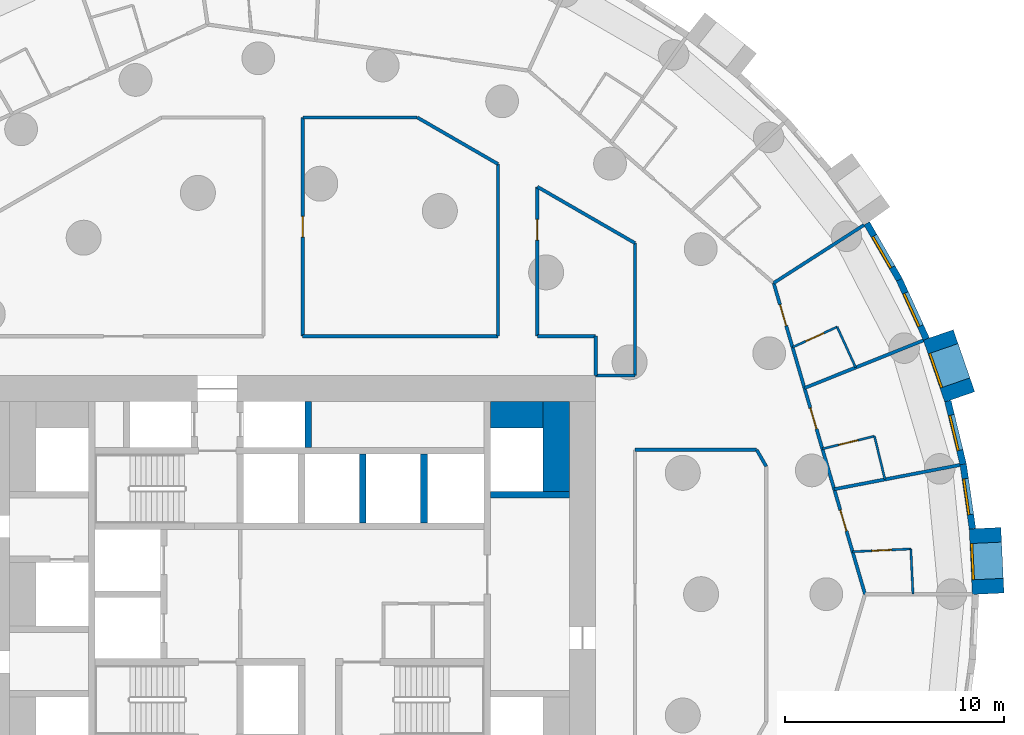
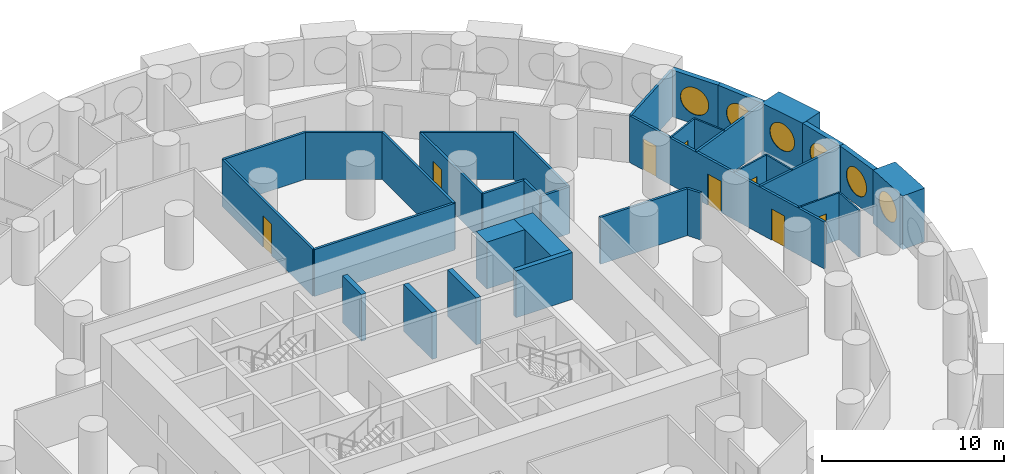
# One storey, part 9 of 12: 35 walls, 8 doors, 6 windows, 14 openings.
"""IFC4 building model written with IfcOpenShell, lengths in metres."""

from ifc_helpers import new_model, si_unit, direction, frame, frame_2d, origin, origin_2d, place, context, subcontext, project, spatial, rectangle, circle, extrude, material, layer, layer_set, type_object, element, fill, save


model = new_model("IFC4")

# Units and contexts
model_context = context("Model", 3, precision=1e-05, world=origin(), true_north=direction((0.0, 1.0)))
body_context = subcontext(model_context, "Body", "Model", "MODEL_VIEW")
ifc_project = project(units=[si_unit("LENGTHUNIT", "METRE"), si_unit("AREAUNIT", "SQUARE_METRE"), si_unit("VOLUMEUNIT", "CUBIC_METRE"), si_unit("PLANEANGLEUNIT", "RADIAN"), si_unit("MASSUNIT", "GRAM", prefix="KILO")], contexts=[model_context])

# Site, building, storey
site_placement = place(None, origin())
site = spatial("IfcSite", under=ifc_project, at=site_placement, CompositionType="ELEMENT")
building_placement = place(site_placement, origin())
building = spatial("IfcBuilding", under=site, at=building_placement, Name="Tracery Tower", CompositionType="ELEMENT")
storey_placement = place(building_placement, frame((0.0, 0.0, 35.39990234375)))
storey = spatial("IfcBuildingStorey", under=building, at=storey_placement, Name="L07", CompositionType="ELEMENT", Elevation=35.39990234375)

# Walls
ifc_material_1 = material(Name="Concrete C60/75", Category="concrete")
ifc_layer_1 = layer(ifc_material_1, 1.199951171875)
ifc_layer_set_1 = layer_set([ifc_layer_1], Name="Core strip wall 1200 C60")
wall_type_1 = type_object("IfcWallType", Name="Core strip wall 1200 C60", PredefinedType="SOLIDWALL", material=ifc_layer_set_1)
wall_1_placement = place(storey_placement, frame((12.199951171875, 4.699951171875, 0.0), z_axis=(0.0, 0.0, 1.0), x_axis=(0.0, 1.0, 0.0)))
element("IfcWall", 1, at=wall_1_placement, inside=storey, type_object=wall_type_1, Name="L07 wing strip +1 4.55", PredefinedType="SOLIDWALL", context=body_context, shape_type="SweptSolid", body=[
    extrude(rectangle(XDim=4.10009765625, YDim=1.199951171875, at=frame_2d((2.050048828125, 0.0))), origin(), (0.0, 0.0, 1.0), 3.150146484375),
])
wall_2_placement = place(storey_placement, frame((9.199951171875, 8.199951171875, 0.0), z_axis=(0.0, 0.0, 1.0), x_axis=(1.0, 0.0, 0.0)))
element("IfcWall", 2, at=wall_2_placement, inside=storey, type_object=wall_type_1, Name="L07 wing corner +1 +8.2", PredefinedType="SOLIDWALL", context=body_context, shape_type="SweptSolid", body=[
    extrude(rectangle(XDim=2.400146484375, YDim=1.199951171875, at=frame_2d((1.2001953125, 0.0))), origin(), (0.0, 0.0, 1.0), 3.150146484375),
])

# Wall, opening, window
ifc_material_2 = material(Name="Precast concrete C50/60", Category="concrete")
ifc_layer_2 = layer(ifc_material_2, 1.449951171875)
ifc_layer_set_2 = layer_set([ifc_layer_2], Name="Deep-set bay unit 3000 x 3600, slab edge 450")
wall_type_2 = type_object("IfcWallType", Name="Deep-set bay unit 3000 x 3600, slab edge 450", PredefinedType="ELEMENTEDWALL", material=ifc_layer_set_2)
wall_3_placement = place(storey_placement, frame((31.94921875, 0.020263671875, -0.449951171875), z_axis=(0.0, 0.0, 1.0), x_axis=(-0.047607680889, 0.998866111509, 0.0)))
wall_3 = element("IfcWall", 3, at=wall_3_placement, inside=storey, type_object=wall_type_2, Name="Deep-set bay unit 1 at L07", PredefinedType="ELEMENTEDWALL", context=body_context, shape_type="SweptSolid", body=[
    extrude(rectangle(XDim=3.0, YDim=1.449951171875, at=frame_2d((1.5, 0.0))), origin(), (0.0, 0.0, 1.0), 3.60009765625),
])
opening_1_placement = place(wall_3_placement, frame((1.5, 0.0, 2.0)))
opening_1 = element("IfcOpeningElement", 4, at=opening_1_placement, cuts=wall_3, Name="Opening WN1", PredefinedType="OPENING", context=body_context, shape_type="SweptSolid", body=[
    extrude(circle(Radius=0.9000244140625, at=origin_2d()), frame((0.0, 0.73486328125, 0.0), z_axis=(0.0, -1.0, 0.0), x_axis=(1.0, 0.0, 0.0)), (0.0, 0.0, 1.0), 1.469970703125),
])
ifc_material_3 = material(Name="Aluminium frame with tinted double glazing", Category="aluminium")
window_type = type_object("IfcWindowType", Name="Round window 1800", PartitioningType="SINGLE_PANEL", PredefinedType="WINDOW", material=ifc_material_3)
window_1_placement = place(opening_1_placement, origin())
window_1 = element("IfcWindow", 5, at=window_1_placement, inside=storey, type_object=window_type, Name="Round window 1 at L07", OverallHeight=1.800048828125, OverallWidth=1.800048828125, PartitioningType="SINGLE_PANEL", PredefinedType="WINDOW", context=body_context, shape_type="SweptSolid", body=[
    extrude(circle(Radius=0.9000244140625, at=origin_2d()), frame((0.0, 0.69482421875, 0.0), z_axis=(0.0, -1.0, 0.0), x_axis=(1.0, 0.0, 0.0)), (0.0, 0.0, 1.0), 0.10009765625),
])
fill(opening_1, window_1)

wall_4_placement = place(storey_placement, frame((30.649169921875, 9.0205078125, -0.449951171875), z_axis=(0.0, 0.0, 1.0), x_axis=(-0.327071431777, 0.944999618262, 0.0)))
wall_4 = element("IfcWall", 6, at=wall_4_placement, inside=storey, type_object=wall_type_2, Name="Deep-set bay unit 4 at L07", PredefinedType="ELEMENTEDWALL", context=body_context, shape_type="SweptSolid", body=[
    extrude(rectangle(XDim=3.0, YDim=1.449951171875, at=frame_2d((1.5, 0.0))), origin(), (0.0, 0.0, 1.0), 3.60009765625),
])
opening_2_placement = place(wall_4_placement, frame((1.5, 0.0, 2.0)))
opening_2 = element("IfcOpeningElement", 7, at=opening_2_placement, cuts=wall_4, Name="Opening WN1", PredefinedType="OPENING", context=body_context, shape_type="SweptSolid", body=[
    extrude(circle(Radius=0.9000244140625, at=origin_2d()), frame((0.0, 0.73486328125, 0.0), z_axis=(0.0, -1.0, 0.0), x_axis=(1.0, 0.0, 0.0)), (0.0, 0.0, 1.0), 1.469970703125),
])
window_2_placement = place(opening_2_placement, origin())
window_2 = element("IfcWindow", 8, at=window_2_placement, inside=storey, type_object=window_type, Name="Round window 4 at L07", OverallHeight=1.800048828125, OverallWidth=1.800048828125, PartitioningType="SINGLE_PANEL", PredefinedType="WINDOW", context=body_context, shape_type="SweptSolid", body=[
    extrude(circle(Radius=0.9000244140625, at=origin_2d()), frame((0.0, 0.69482421875, 0.0), z_axis=(0.0, -1.0, 0.0), x_axis=(1.0, 0.0, 0.0)), (0.0, 0.0, 1.0), 0.10009765625),
])
fill(opening_2, window_2)

ifc_material_4 = material(Name="Precast concrete C50/60", Category="concrete")
ifc_layer_3 = layer(ifc_material_4, 0.300048828125)
ifc_layer_set_3 = layer_set([ifc_layer_3], Name="Facade panel 3000 x 3150")
wall_type_3 = type_object("IfcWallType", Name="Facade panel 3000 x 3150", PredefinedType="SOLIDWALL", material=ifc_layer_set_3)
wall_5_placement = place(storey_placement, frame((31.2314453125, 2.98828125, 0.0), z_axis=(0.0, 0.0, 1.0), x_axis=(-0.142315996627, 0.989821275334, 0.0)))
wall_5 = element("IfcWall", 9, at=wall_5_placement, inside=storey, type_object=wall_type_3, Name="Facade panel 2 at L07", PredefinedType="SOLIDWALL", context=body_context, shape_type="SweptSolid", body=[
    extrude(rectangle(XDim=2.979736328125, YDim=0.300048828125, at=frame_2d((1.48974609375, 0.0))), origin(), (0.0, 0.0, 1.0), 3.150146484375),
])
opening_3_placement = place(wall_5_placement, frame((1.48974609375, 0.0, 1.5498046875)))
opening_3 = element("IfcOpeningElement", 10, at=opening_3_placement, cuts=wall_5, Name="Opening WN1", PredefinedType="OPENING", context=body_context, shape_type="SweptSolid", body=[
    extrude(circle(Radius=0.9000244140625, at=origin_2d()), frame((0.0, 0.159912109375, 0.0), z_axis=(0.0, -1.0, 0.0), x_axis=(1.0, 0.0, 0.0)), (0.0, 0.0, 1.0), 0.320068359375),
])
window_3_placement = place(opening_3_placement, origin())
window_3 = element("IfcWindow", 11, at=window_3_placement, inside=storey, type_object=window_type, Name="Round window 2 at L07", OverallHeight=1.800048828125, OverallWidth=1.800048828125, PartitioningType="SINGLE_PANEL", PredefinedType="WINDOW", context=body_context, shape_type="SweptSolid", body=[
    extrude(circle(Radius=0.9000244140625, at=origin_2d()), frame((0.0, 0.1201171875, 0.0), z_axis=(0.0, -1.0, 0.0), x_axis=(1.0, 0.0, 0.0)), (0.0, 0.0, 1.0), 0.10009765625),
])
fill(opening_3, window_3)

wall_6_placement = place(storey_placement, frame((30.807373046875, 5.937744140625, 0.0), z_axis=(0.0, 0.0, 1.0), x_axis=(-0.235743081534, 0.971815414319, 0.0)))
wall_6 = element("IfcWall", 12, at=wall_6_placement, inside=storey, type_object=wall_type_3, Name="Facade panel 3 at L07", PredefinedType="SOLIDWALL", context=body_context, shape_type="SweptSolid", body=[
    extrude(rectangle(XDim=2.9794921875, YDim=0.300048828125, at=frame_2d((1.48974609375, 0.0))), origin(), (0.0, 0.0, 1.0), 3.150146484375),
])
opening_4_placement = place(wall_6_placement, frame((1.48974609375, 0.0, 1.5498046875)))
opening_4 = element("IfcOpeningElement", 13, at=opening_4_placement, cuts=wall_6, Name="Opening WN1", PredefinedType="OPENING", context=body_context, shape_type="SweptSolid", body=[
    extrude(circle(Radius=0.9000244140625, at=origin_2d()), frame((0.0, 0.159912109375, 0.0), z_axis=(0.0, -1.0, 0.0), x_axis=(1.0, 0.0, 0.0)), (0.0, 0.0, 1.0), 0.320068359375),
])
window_4_placement = place(opening_4_placement, origin())
window_4 = element("IfcWindow", 14, at=window_4_placement, inside=storey, type_object=window_type, Name="Round window 3 at L07", OverallHeight=1.800048828125, OverallWidth=1.800048828125, PartitioningType="SINGLE_PANEL", PredefinedType="WINDOW", context=body_context, shape_type="SweptSolid", body=[
    extrude(circle(Radius=0.9000244140625, at=origin_2d()), frame((0.0, 0.1201171875, 0.0), z_axis=(0.0, -1.0, 0.0), x_axis=(1.0, 0.0, 0.0)), (0.0, 0.0, 1.0), 0.10009765625),
])
fill(opening_4, window_4)

wall_7_placement = place(storey_placement, frame((29.12451171875, 11.666259765625, 0.0), z_axis=(0.0, 0.0, 1.0), x_axis=(-0.415407317162, 0.909635509888, 0.0)))
wall_7 = element("IfcWall", 15, at=wall_7_placement, inside=storey, type_object=wall_type_3, Name="Facade panel 5 at L07", PredefinedType="SOLIDWALL", context=body_context, shape_type="SweptSolid", body=[
    extrude(rectangle(XDim=2.979736328125, YDim=0.300048828125, at=frame_2d((1.48974609375, 0.0))), origin(), (0.0, 0.0, 1.0), 3.150146484375),
])
opening_5_placement = place(wall_7_placement, frame((1.48974609375, 0.0, 1.5498046875)))
opening_5 = element("IfcOpeningElement", 16, at=opening_5_placement, cuts=wall_7, Name="Opening WN1", PredefinedType="OPENING", context=body_context, shape_type="SweptSolid", body=[
    extrude(circle(Radius=0.9000244140625, at=origin_2d()), frame((0.0, 0.159912109375, 0.0), z_axis=(0.0, -1.0, 0.0), x_axis=(1.0, 0.0, 0.0)), (0.0, 0.0, 1.0), 0.320068359375),
])
window_5_placement = place(opening_5_placement, origin())
window_5 = element("IfcWindow", 17, at=window_5_placement, inside=storey, type_object=window_type, Name="Round window 5 at L07", OverallHeight=1.800048828125, OverallWidth=1.800048828125, PartitioningType="SINGLE_PANEL", PredefinedType="WINDOW", context=body_context, shape_type="SweptSolid", body=[
    extrude(circle(Radius=0.9000244140625, at=origin_2d()), frame((0.0, 0.1201171875, 0.0), z_axis=(0.0, -1.0, 0.0), x_axis=(1.0, 0.0, 0.0)), (0.0, 0.0, 1.0), 0.10009765625),
])
fill(opening_5, window_5)

wall_8_placement = place(storey_placement, frame((27.88671875, 14.376708984375, 0.0), z_axis=(0.0, 0.0, 1.0), x_axis=(-0.499999078476, 0.866025935826, 0.0)))
wall_8 = element("IfcWall", 18, at=wall_8_placement, inside=storey, type_object=wall_type_3, Name="Facade panel 6 at L07", PredefinedType="SOLIDWALL", context=body_context, shape_type="SweptSolid", body=[
    extrude(rectangle(XDim=2.9794921875, YDim=0.300048828125, at=frame_2d((1.48974609375, 0.0))), origin(), (0.0, 0.0, 1.0), 3.150146484375),
])
opening_6_placement = place(wall_8_placement, frame((1.48974609375, 0.0, 1.5498046875)))
opening_6 = element("IfcOpeningElement", 19, at=opening_6_placement, cuts=wall_8, Name="Opening WN1", PredefinedType="OPENING", context=body_context, shape_type="SweptSolid", body=[
    extrude(circle(Radius=0.9000244140625, at=origin_2d()), frame((0.0, 0.159912109375, 0.0), z_axis=(0.0, -1.0, 0.0), x_axis=(1.0, 0.0, 0.0)), (0.0, 0.0, 1.0), 0.320068359375),
])
window_6_placement = place(opening_6_placement, origin())
window_6 = element("IfcWindow", 20, at=window_6_placement, inside=storey, type_object=window_type, Name="Round window 6 at L07", OverallHeight=1.800048828125, OverallWidth=1.800048828125, PartitioningType="SINGLE_PANEL", PredefinedType="WINDOW", context=body_context, shape_type="SweptSolid", body=[
    extrude(circle(Radius=0.9000244140625, at=origin_2d()), frame((0.0, 0.1201171875, 0.0), z_axis=(0.0, -1.0, 0.0), x_axis=(1.0, 0.0, 0.0)), (0.0, 0.0, 1.0), 0.10009765625),
])
fill(opening_6, window_6)

# Wall
ifc_material_5 = material(Name="Plasterboard on steel studs", Category="steel")
ifc_layer_4 = layer(ifc_material_5, 0.10009765625)
ifc_layer_set_4 = layer_set([ifc_layer_4], Name="Partition 100 wet wall")
wall_type_4 = type_object("IfcWallType", Name="Partition 100 wet wall", PredefinedType="PARTITIONING", material=ifc_layer_set_4)
wall_9_placement = place(storey_placement, frame((28.412109375, 2.069091796875, 0.0), z_axis=(0.0, 0.0, 1.0), x_axis=(0.047733138673, -0.998860124078, 0.0)))
element("IfcWall", 21, at=wall_9_placement, inside=storey, type_object=wall_type_4, Name="Wet wall RA1-058", PredefinedType="PARTITIONING", context=body_context, shape_type="SweptSolid", body=[
    extrude(rectangle(XDim=2.071533203125, YDim=0.10009765625, at=frame_2d((1.03564453125, 0.0))), origin(), (0.0, 0.0, 1.0), 3.150146484375),
])

# Wall, opening, door
wall_10_placement = place(storey_placement, frame((25.7490234375, 1.94189453125, 0.0), z_axis=(0.0, 0.0, 1.0), x_axis=(0.998861290624, 0.047708721344, 0.0)))
wall_10 = element("IfcWall", 22, at=wall_10_placement, inside=storey, type_object=wall_type_4, Name="Wet wall RA1-059", PredefinedType="PARTITIONING", context=body_context, shape_type="SweptSolid", body=[
    extrude(rectangle(XDim=2.666015625, YDim=0.10009765625, at=frame_2d((1.3330078125, 0.0))), origin(), (0.0, 0.0, 1.0), 3.150146484375),
])
opening_7_placement = place(wall_10_placement, frame((0.883056640625, 0.0, 0.0)))
opening_7 = element("IfcOpeningElement", 23, at=opening_7_placement, cuts=wall_10, Name="Opening RA1-09", PredefinedType="OPENING", context=body_context, shape_type="SweptSolid", body=[
    extrude(rectangle(XDim=0.89990234375, YDim=2.0400390625, at=frame_2d((0.449951171875, 1.02001953125))), frame((0.0, 0.050048828125, 0.0), z_axis=(0.0, -1.0, 0.0), x_axis=(1.0, 0.0, 0.0)), (0.0, 0.0, 1.0), 0.10009765625),
])
ifc_material_6 = material(Name="Timber door leaf", Category="wood")
door_type_1 = type_object("IfcDoorType", Name="Door en-suite 900", OperationType="NOTDEFINED", PredefinedType="DOOR", material=ifc_material_6)
door_1_placement = place(opening_7_placement, origin())
door_1 = element("IfcDoor", 24, at=door_1_placement, inside=storey, type_object=door_type_1, Name="En-suite door RA1-09", OperationType="SINGLE_SWING_LEFT", OverallHeight=2.0400390625, OverallWidth=0.89990234375, PredefinedType="DOOR", context=body_context, shape_type="SweptSolid", body=[
    extrude(rectangle(XDim=0.89990234375, YDim=2.0400390625, at=frame_2d((0.449951171875, 1.02001953125))), frame((0.0, 0.02490234375, 0.0), z_axis=(0.0, -1.0, 0.0), x_axis=(1.0, 0.0, 0.0)), (0.0, 0.0, 1.0), 0.050048828125),
])
fill(opening_7, door_1)

# Wall
wall_11_placement = place(storey_placement, frame((26.75, 7.22509765625, 0.0), z_axis=(0.0, 0.0, 1.0), x_axis=(0.23592286129, -0.97177178572, 0.0)))
element("IfcWall", 25, at=wall_11_placement, inside=storey, type_object=wall_type_4, Name="Wet wall RA1-062", PredefinedType="PARTITIONING", context=body_context, shape_type="SweptSolid", body=[
    extrude(rectangle(XDim=2.034423828125, YDim=0.10009765625, at=frame_2d((1.01708984375, 0.0))), origin(), (0.0, 0.0, 1.0), 3.150146484375),
])

# Wall, opening, door
wall_12_placement = place(storey_placement, frame((24.366943359375, 6.64599609375, 0.0), z_axis=(0.0, 0.0, 1.0), x_axis=(0.971720101056, 0.236135650006, 0.0)))
wall_12 = element("IfcWall", 26, at=wall_12_placement, inside=storey, type_object=wall_type_4, Name="Wet wall RA1-063", PredefinedType="PARTITIONING", context=body_context, shape_type="SweptSolid", body=[
    extrude(rectangle(XDim=2.452392578125, YDim=0.10009765625, at=frame_2d((1.22607421875, 0.0))), origin(), (0.0, 0.0, 1.0), 3.150146484375),
])
opening_8_placement = place(wall_12_placement, frame((0.7763671875, 0.0, 0.0)))
opening_8 = element("IfcOpeningElement", 27, at=opening_8_placement, cuts=wall_12, Name="Opening RA1-11", PredefinedType="OPENING", context=body_context, shape_type="SweptSolid", body=[
    extrude(rectangle(XDim=0.89990234375, YDim=2.0400390625, at=frame_2d((0.449951171875, 1.02001953125))), frame((0.0, 0.050048828125, 0.0), z_axis=(0.0, -1.0, 0.0), x_axis=(1.0, 0.0, 0.0)), (0.0, 0.0, 1.0), 0.10009765625),
])
door_2_placement = place(opening_8_placement, origin())
door_2 = element("IfcDoor", 28, at=door_2_placement, inside=storey, type_object=door_type_1, Name="En-suite door RA1-11", OperationType="SINGLE_SWING_LEFT", OverallHeight=2.0400390625, OverallWidth=0.89990234375, PredefinedType="DOOR", context=body_context, shape_type="SweptSolid", body=[
    extrude(rectangle(XDim=0.89990234375, YDim=2.0400390625, at=frame_2d((0.449951171875, 1.02001953125))), frame((0.0, 0.02490234375, 0.0), z_axis=(0.0, -1.0, 0.0), x_axis=(1.0, 0.0, 0.0)), (0.0, 0.0, 1.0), 0.050048828125),
])
fill(opening_8, door_2)

# Wall
wall_13_placement = place(storey_placement, frame((25.04296875, 12.221923828125, 0.0), z_axis=(0.0, 0.0, 1.0), x_axis=(0.41546015385, -0.909611378866, 0.0)))
element("IfcWall", 29, at=wall_13_placement, inside=storey, type_object=wall_type_4, Name="Wet wall RA1-065", PredefinedType="PARTITIONING", context=body_context, shape_type="SweptSolid", body=[
    extrude(rectangle(XDim=2.04150390625, YDim=0.10009765625, at=frame_2d((1.020751953125, 0.0))), origin(), (0.0, 0.0, 1.0), 3.150146484375),
])

# Wall, opening, door
wall_14_placement = place(storey_placement, frame((23.0029296875, 11.291015625, 0.0), z_axis=(0.0, 0.0, 1.0), x_axis=(0.90975773562, 0.41513956988, 0.0)))
wall_14 = element("IfcWall", 30, at=wall_14_placement, inside=storey, type_object=wall_type_4, Name="Wet wall RA1-066", PredefinedType="PARTITIONING", context=body_context, shape_type="SweptSolid", body=[
    extrude(rectangle(XDim=2.242431640625, YDim=0.10009765625, at=frame_2d((1.12109375, 0.0))), origin(), (0.0, 0.0, 1.0), 3.150146484375),
])
opening_9_placement = place(wall_14_placement, frame((0.67138671875, 0.0, 0.0)))
opening_9 = element("IfcOpeningElement", 31, at=opening_9_placement, cuts=wall_14, Name="Opening RA1-13", PredefinedType="OPENING", context=body_context, shape_type="SweptSolid", body=[
    extrude(rectangle(XDim=0.89990234375, YDim=2.0400390625, at=frame_2d((0.449951171875, 1.02001953125))), frame((0.0, 0.050048828125, 0.0), z_axis=(0.0, -1.0, 0.0), x_axis=(1.0, 0.0, 0.0)), (0.0, 0.0, 1.0), 0.10009765625),
])
door_3_placement = place(opening_9_placement, origin())
door_3 = element("IfcDoor", 32, at=door_3_placement, inside=storey, type_object=door_type_1, Name="En-suite door RA1-13", OperationType="SINGLE_SWING_LEFT", OverallHeight=2.0400390625, OverallWidth=0.89990234375, PredefinedType="DOOR", context=body_context, shape_type="SweptSolid", body=[
    extrude(rectangle(XDim=0.89990234375, YDim=2.0400390625, at=frame_2d((0.449951171875, 1.02001953125))), frame((0.0, 0.02490234375, 0.0), z_axis=(0.0, -1.0, 0.0), x_axis=(1.0, 0.0, 0.0)), (0.0, 0.0, 1.0), 0.050048828125),
])
fill(opening_9, door_3)

# Walls
ifc_material_7 = material(Name="Plasterboard on steel studs", Category="steel")
ifc_layer_5 = layer(ifc_material_7, 0.14990234375)
ifc_layer_set_5 = layer_set([ifc_layer_5], Name="Partition 150 acoustic unit wall")
wall_type_5 = type_object("IfcWallType", Name="Partition 150 acoustic unit wall", PredefinedType="PARTITIONING", material=ifc_layer_set_5)
wall_15_placement = place(storey_placement, frame((24.9091796875, 4.80029296875, 0.0), z_axis=(0.0, 0.0, 1.0), x_axis=(0.981919819649, 0.18929729998, 0.0)))
element("IfcWall", 33, at=wall_15_placement, inside=storey, type_object=wall_type_5, Name="Unit wall RA1-060", PredefinedType="PARTITIONING", context=body_context, shape_type="SweptSolid", body=[
    extrude(rectangle(XDim=5.856689453125, YDim=0.14990234375, at=frame_2d((2.92822265625, 0.0))), origin(), (0.0, 0.0, 1.0), 3.150146484375),
])
wall_16_placement = place(storey_placement, frame((23.55029296875, 9.427001953125, 0.0), z_axis=(0.0, 0.0, 1.0), x_axis=(0.928307005382, 0.371814609393, 0.0)))
element("IfcWall", 34, at=wall_16_placement, inside=storey, type_object=wall_type_5, Name="Unit wall RA1-064", PredefinedType="PARTITIONING", context=body_context, shape_type="SweptSolid", body=[
    extrude(rectangle(XDim=5.857666015625, YDim=0.14990234375, at=frame_2d((2.9287109375, 0.0))), origin(), (0.0, 0.0, 1.0), 3.150146484375),
])
wall_17_placement = place(storey_placement, frame((22.14111328125, 14.22900390625, 0.0), z_axis=(0.0, 0.0, 1.0), x_axis=(0.841265781699, 0.540621757371, 0.0)))
element("IfcWall", 35, at=wall_17_placement, inside=storey, type_object=wall_type_5, Name="Unit wall RA1-067", PredefinedType="PARTITIONING", context=body_context, shape_type="SweptSolid", body=[
    extrude(rectangle(XDim=4.90576171875, YDim=0.14990234375, at=frame_2d((2.452880859375, 0.0))), origin(), (0.0, 0.0, 1.0), 3.150146484375),
])
ifc_material_8 = material(Name="Plasterboard on steel studs", Category="steel")
ifc_layer_6 = layer(ifc_material_8, 0.14990234375)
ifc_layer_set_6 = layer_set([ifc_layer_6], Name="Partition 150 corridor wall")
wall_type_6 = type_object("IfcWallType", Name="Partition 150 corridor wall", PredefinedType="PARTITIONING", material=ifc_layer_set_6)
wall_18_placement = place(storey_placement, frame((0.60400390625, 11.800048828125, 0.0), z_axis=(0.0, 0.0, 1.0), x_axis=(1.0, 0.0, 0.0)))
element("IfcWall", 36, at=wall_18_placement, inside=storey, type_object=wall_type_6, Name="Corridor wall RA1-002", PredefinedType="PARTITIONING", context=body_context, shape_type="SweptSolid", body=[
    extrude(rectangle(XDim=8.93603515625, YDim=0.14990234375, at=frame_2d((4.468017578125, 0.0))), origin(), (0.0, 0.0, 1.0), 3.150146484375),
])
wall_19_placement = place(storey_placement, frame((11.33203125, 11.800048828125, 0.0), z_axis=(0.0, 0.0, 1.0), x_axis=(1.0, 0.0, 0.0)))
element("IfcWall", 37, at=wall_19_placement, inside=storey, type_object=wall_type_6, Name="Corridor wall RA1-003", PredefinedType="PARTITIONING", context=body_context, shape_type="SweptSolid", body=[
    extrude(rectangle(XDim=2.66796875, YDim=0.14990234375, at=frame_2d((1.333984375, 0.0))), origin(), (0.0, 0.0, 1.0), 3.150146484375),
])
for number, where, z_axis, x_axis, name in (
    (38, (14.0, 10.0, 0.0), (0.0, 0.0, 1.0), (0.0, 1.0, 0.0), "Corridor wall RA1-004"),
    (39, (14.0, 10.0, 0.0), (0.0, 0.0, 1.0), (1.0, 0.0, 0.0), "Corridor wall RA1-009"),
):
    element("IfcWall", number, at=place(storey_placement, frame(where, z_axis=z_axis, x_axis=x_axis)), inside=storey, type_object=wall_type_6, Name=name, PredefinedType="PARTITIONING", context=body_context, shape_type="SweptSolid", body=[
        extrude(rectangle(XDim=1.800048828125, YDim=0.14990234375, at=frame_2d((0.89990234375, 0.0))), origin(), (0.0, 0.0, 1.0), 3.150146484375),
    ])
wall_20_placement = place(storey_placement, frame((15.800048828125, 9.99609375, 0.0), z_axis=(0.0, 0.0, 1.0), x_axis=(0.0, 1.0, 0.0)))
element("IfcWall", 40, at=wall_20_placement, inside=storey, type_object=wall_type_6, Name="Corridor wall RA1-013", PredefinedType="PARTITIONING", context=body_context, shape_type="SweptSolid", body=[
    extrude(rectangle(XDim=6.056884765625, YDim=0.14990234375, at=frame_2d((3.0283203125, 0.0))), origin(), (0.0, 0.0, 1.0), 3.150146484375),
])
wall_21_placement = place(storey_placement, frame((21.364013671875, 6.60009765625, 0.0), z_axis=(0.0, 0.0, 1.0), x_axis=(0.500277597875, -0.865865073245, 0.0)))
element("IfcWall", 41, at=wall_21_placement, inside=storey, type_object=wall_type_6, Name="Corridor wall RA1-018", PredefinedType="PARTITIONING", context=body_context, shape_type="SweptSolid", body=[
    extrude(rectangle(XDim=0.87548828125, YDim=0.14990234375, at=frame_2d((0.437744140625, 0.0))), origin(), (0.0, 0.0, 1.0), 3.150146484375),
])
wall_22_placement = place(storey_placement, frame((15.800048828125, 6.60009765625, 0.0), z_axis=(0.0, 0.0, 1.0), x_axis=(1.0, 0.0, 0.0)))
element("IfcWall", 42, at=wall_22_placement, inside=storey, type_object=wall_type_6, Name="Corridor wall RA1-019", PredefinedType="PARTITIONING", context=body_context, shape_type="SweptSolid", body=[
    extrude(rectangle(XDim=5.56396484375, YDim=0.14990234375, at=frame_2d((2.781982421875, 0.0))), origin(), (0.0, 0.0, 1.0), 3.150146484375),
])

# Wall, openings, doors
wall_23_placement = place(storey_placement, frame((22.140380859375, 14.228759765625, 0.0), z_axis=(0.0, 0.0, 1.0), x_axis=(0.281780364869, -0.959478934617, 0.0)))
wall_23 = element("IfcWall", 43, at=wall_23_placement, inside=storey, type_object=wall_type_6, Name="Corridor wall RA1-020", PredefinedType="PARTITIONING", context=body_context, shape_type="SweptSolid", body=[
    extrude(rectangle(XDim=14.82958984375, YDim=0.14990234375, at=frame_2d((7.414794921875, 0.0))), origin(), (0.0, 0.0, 1.0), 3.150146484375),
])
opening_10_placement = place(wall_23_placement, frame((10.81591796875, 0.0, 0.0)))
opening_10 = element("IfcOpeningElement", 44, at=opening_10_placement, cuts=wall_23, Name="Opening RA1-10", PredefinedType="OPENING", context=body_context, shape_type="SweptSolid", body=[
    extrude(rectangle(XDim=1.0, YDim=2.10009765625, at=frame_2d((0.5, 1.050048828125))), frame((0.0, 0.074951171875, 0.0), z_axis=(0.0, -1.0, 0.0), x_axis=(1.0, 0.0, 0.0)), (0.0, 0.0, 1.0), 0.14990234375),
])
opening_11_placement = place(wall_23_placement, frame((5.953369140625, 0.0, 0.0)))
opening_11 = element("IfcOpeningElement", 45, at=opening_11_placement, cuts=wall_23, Name="Opening RA1-12", PredefinedType="OPENING", context=body_context, shape_type="SweptSolid", body=[
    extrude(rectangle(XDim=1.0, YDim=2.10009765625, at=frame_2d((0.5, 1.050048828125))), frame((0.0, 0.074951171875, 0.0), z_axis=(0.0, -1.0, 0.0), x_axis=(1.0, 0.0, 0.0)), (0.0, 0.0, 1.0), 0.14990234375),
])
opening_12_placement = place(wall_23_placement, frame((1.032958984375, 0.0, 0.0)))
opening_12 = element("IfcOpeningElement", 46, at=opening_12_placement, cuts=wall_23, Name="Opening RA1-14", PredefinedType="OPENING", context=body_context, shape_type="SweptSolid", body=[
    extrude(rectangle(XDim=1.0, YDim=2.10009765625, at=frame_2d((0.5, 1.050048828125))), frame((0.0, 0.074951171875, 0.0), z_axis=(0.0, -1.0, 0.0), x_axis=(1.0, 0.0, 0.0)), (0.0, 0.0, 1.0), 0.14990234375),
])
ifc_material_9 = material(Name="Timber door leaf", Category="wood")
door_type_2 = type_object("IfcDoorType", Name="Door unit entrance 1000", OperationType="NOTDEFINED", PredefinedType="DOOR", material=ifc_material_9)
door_4_placement = place(opening_10_placement, origin())
door_4 = element("IfcDoor", 47, at=door_4_placement, inside=storey, type_object=door_type_2, Name="Unit entrance door RA1-10", OperationType="SINGLE_SWING_LEFT", OverallHeight=2.10009765625, OverallWidth=1.0, PredefinedType="DOOR", context=body_context, shape_type="SweptSolid", body=[
    extrude(rectangle(XDim=1.0, YDim=2.10009765625, at=frame_2d((0.5, 1.050048828125))), frame((0.0, 0.02490234375, 0.0), z_axis=(0.0, -1.0, 0.0), x_axis=(1.0, 0.0, 0.0)), (0.0, 0.0, 1.0), 0.050048828125),
])
fill(opening_10, door_4)
door_5_placement = place(opening_11_placement, origin())
door_5 = element("IfcDoor", 48, at=door_5_placement, inside=storey, type_object=door_type_2, Name="Unit entrance door RA1-12", OperationType="SINGLE_SWING_LEFT", OverallHeight=2.10009765625, OverallWidth=1.0, PredefinedType="DOOR", context=body_context, shape_type="SweptSolid", body=[
    extrude(rectangle(XDim=1.0, YDim=2.10009765625, at=frame_2d((0.5, 1.050048828125))), frame((0.0, 0.02490234375, 0.0), z_axis=(0.0, -1.0, 0.0), x_axis=(1.0, 0.0, 0.0)), (0.0, 0.0, 1.0), 0.050048828125),
])
fill(opening_11, door_5)
door_6_placement = place(opening_12_placement, origin())
door_6 = element("IfcDoor", 49, at=door_6_placement, inside=storey, type_object=door_type_2, Name="Unit entrance door RA1-14", OperationType="SINGLE_SWING_LEFT", OverallHeight=2.10009765625, OverallWidth=1.0, PredefinedType="DOOR", context=body_context, shape_type="SweptSolid", body=[
    extrude(rectangle(XDim=1.0, YDim=2.10009765625, at=frame_2d((0.5, 1.050048828125))), frame((0.0, 0.02490234375, 0.0), z_axis=(0.0, -1.0, 0.0), x_axis=(1.0, 0.0, 0.0)), (0.0, 0.0, 1.0), 0.050048828125),
])
fill(opening_12, door_6)

# Walls
wall_24_placement = place(storey_placement, frame((9.535888671875, 11.800048828125, 0.0), z_axis=(0.0, 0.0, 1.0), x_axis=(0.0, 1.0, 0.0)))
element("IfcWall", 50, at=wall_24_placement, inside=storey, type_object=wall_type_6, Name="Corridor wall RA1-028", PredefinedType="PARTITIONING", context=body_context, shape_type="SweptSolid", body=[
    extrude(rectangle(XDim=7.868896484375, YDim=0.14990234375, at=frame_2d((3.9345703125, 0.0))), origin(), (0.0, 0.0, 1.0), 3.150146484375),
])
wall_25_placement = place(storey_placement, frame((5.842041015625, 21.802001953125, 0.0), z_axis=(0.0, 0.0, 1.0), x_axis=(0.865983505205, -0.500072563448, 0.0)))
element("IfcWall", 51, at=wall_25_placement, inside=storey, type_object=wall_type_6, Name="Corridor wall RA1-029", PredefinedType="PARTITIONING", context=body_context, shape_type="SweptSolid", body=[
    extrude(rectangle(XDim=4.265380859375, YDim=0.14990234375, at=frame_2d((2.1328125, 0.0))), origin(), (0.0, 0.0, 1.0), 3.150146484375),
])
wall_26_placement = place(storey_placement, frame((0.60791015625, 21.802001953125, 0.0), z_axis=(0.0, 0.0, 1.0), x_axis=(1.0, 0.0, 0.0)))
element("IfcWall", 52, at=wall_26_placement, inside=storey, type_object=wall_type_6, Name="Corridor wall RA1-030", PredefinedType="PARTITIONING", context=body_context, shape_type="SweptSolid", body=[
    extrude(rectangle(XDim=5.234130859375, YDim=0.14990234375, at=frame_2d((2.6171875, 0.0))), origin(), (0.0, 0.0, 1.0), 3.150146484375),
])

# Wall, opening, door
wall_27_placement = place(storey_placement, frame((0.60791015625, 11.800048828125, 0.0), z_axis=(0.0, 0.0, 1.0), x_axis=(0.0, 1.0, 0.0)))
wall_27 = element("IfcWall", 53, at=wall_27_placement, inside=storey, type_object=wall_type_6, Name="Corridor wall RA1-031", PredefinedType="PARTITIONING", context=body_context, shape_type="SweptSolid", body=[
    extrude(rectangle(XDim=10.001953125, YDim=0.14990234375, at=frame_2d((5.0009765625, 0.0))), origin(), (0.0, 0.0, 1.0), 3.150146484375),
])
opening_13_placement = place(wall_27_placement, frame((4.52587890625, 0.0, 0.0)))
opening_13 = element("IfcOpeningElement", 54, at=opening_13_placement, cuts=wall_27, Name="Opening RA1-02", PredefinedType="OPENING", context=body_context, shape_type="SweptSolid", body=[
    extrude(rectangle(XDim=0.949951171875, YDim=2.10009765625, at=frame_2d((0.47509765625, 1.050048828125))), frame((0.0, 0.074951171875, 0.0), z_axis=(0.0, -1.0, 0.0), x_axis=(1.0, 0.0, 0.0)), (0.0, 0.0, 1.0), 0.14990234375),
])
ifc_material_10 = material(Name="Timber door leaf", Category="wood")
door_type_3 = type_object("IfcDoorType", Name="Door store 950", OperationType="NOTDEFINED", PredefinedType="DOOR", material=ifc_material_10)
door_7_placement = place(opening_13_placement, origin())
door_7 = element("IfcDoor", 55, at=door_7_placement, inside=storey, type_object=door_type_3, Name="Store door RA1-02", OperationType="SINGLE_SWING_RIGHT", OverallHeight=2.10009765625, OverallWidth=0.949951171875, PredefinedType="DOOR", context=body_context, shape_type="SweptSolid", body=[
    extrude(rectangle(XDim=0.949951171875, YDim=2.10009765625, at=frame_2d((0.47509765625, 1.050048828125))), frame((0.0, 0.02490234375, 0.0), z_axis=(0.0, -1.0, 0.0), x_axis=(1.0, 0.0, 0.0)), (0.0, 0.0, 1.0), 0.050048828125),
])
fill(opening_13, door_7)

# Wall
wall_28_placement = place(storey_placement, frame((11.3359375, 18.6298828125, 0.0), z_axis=(0.0, 0.0, 1.0), x_axis=(0.866063337164, -0.499934291702, 0.0)))
element("IfcWall", 56, at=wall_28_placement, inside=storey, type_object=wall_type_6, Name="Corridor wall RA1-032", PredefinedType="PARTITIONING", context=body_context, shape_type="SweptSolid", body=[
    extrude(rectangle(XDim=5.154541015625, YDim=0.14990234375, at=frame_2d((2.5771484375, 0.0))), origin(), (0.0, 0.0, 1.0), 3.150146484375),
])

# Wall, opening, door
wall_29_placement = place(storey_placement, frame((11.3359375, 11.800048828125, 0.0), z_axis=(0.0, 0.0, 1.0), x_axis=(0.0, 1.0, 0.0)))
wall_29 = element("IfcWall", 57, at=wall_29_placement, inside=storey, type_object=wall_type_6, Name="Corridor wall RA1-033", PredefinedType="PARTITIONING", context=body_context, shape_type="SweptSolid", body=[
    extrude(rectangle(XDim=6.829833984375, YDim=0.14990234375, at=frame_2d((3.4150390625, 0.0))), origin(), (0.0, 0.0, 1.0), 3.150146484375),
])
opening_14_placement = place(wall_29_placement, frame((4.389892578125, 0.0, 0.0)))
opening_14 = element("IfcOpeningElement", 58, at=opening_14_placement, cuts=wall_29, Name="Opening RA1-03", PredefinedType="OPENING", context=body_context, shape_type="SweptSolid", body=[
    extrude(rectangle(XDim=0.949951171875, YDim=2.10009765625, at=frame_2d((0.47509765625, 1.050048828125))), frame((0.0, 0.074951171875, 0.0), z_axis=(0.0, -1.0, 0.0), x_axis=(1.0, 0.0, 0.0)), (0.0, 0.0, 1.0), 0.14990234375),
])
door_8_placement = place(opening_14_placement, origin())
door_8 = element("IfcDoor", 59, at=door_8_placement, inside=storey, type_object=door_type_3, Name="Store door RA1-03", OperationType="SINGLE_SWING_LEFT", OverallHeight=2.10009765625, OverallWidth=0.949951171875, PredefinedType="DOOR", context=body_context, shape_type="SweptSolid", body=[
    extrude(rectangle(XDim=0.949951171875, YDim=2.10009765625, at=frame_2d((0.47509765625, 1.050048828125))), frame((0.0, 0.02490234375, 0.0), z_axis=(0.0, -1.0, 0.0), x_axis=(1.0, 0.0, 0.0)), (0.0, 0.0, 1.0), 0.050048828125),
])
fill(opening_14, door_8)

# Walls
ifc_material_11 = material(Name="Concrete C60/75", Category="concrete")
ifc_layer_7 = layer(ifc_material_11, 0.300048828125)
ifc_layer_set_7 = layer_set([ifc_layer_7], Name="Shaft wall 300 C60")
wall_type_7 = type_object("IfcWallType", Name="Shaft wall 300 C60", PredefinedType="SOLIDWALL", material=ifc_layer_set_7)
for number, where, z_axis, x_axis, name in (
    (60, (3.35009765625, 3.25, 0.0), (0.0, 0.0, 1.0), (0.0, 1.0, 0.0), "L07 HR sep 2"),
    (61, (6.14990234375, 3.25, 0.0), (0.0, 0.0, 1.0), (0.0, 1.0, 0.0), "L07 HR sep 3"),
):
    element("IfcWall", number, at=place(storey_placement, frame(where, z_axis=z_axis, x_axis=x_axis)), inside=storey, type_object=wall_type_7, Name=name, PredefinedType="SOLIDWALL", context=body_context, shape_type="SweptSolid", body=[
        extrude(rectangle(XDim=3.14990234375, YDim=0.300048828125, at=frame_2d((1.574951171875, 0.0))), origin(), (0.0, 0.0, 1.0), 3.150146484375),
    ])
wall_30_placement = place(storey_placement, frame((0.85009765625, 6.699951171875, 0.0), z_axis=(0.0, 0.0, 1.0), x_axis=(0.0, 1.0, 0.0)))
element("IfcWall", 62, at=wall_30_placement, inside=storey, type_object=wall_type_7, Name="L07 LR sep 0.85", PredefinedType="SOLIDWALL", context=body_context, shape_type="SweptSolid", body=[
    extrude(rectangle(XDim=2.10009765625, YDim=0.300048828125, at=frame_2d((1.050048828125, 0.0))), origin(), (0.0, 0.0, 1.0), 3.150146484375),
])
wall_31_placement = place(storey_placement, frame((9.199951171875, 4.550048828125, 0.0), z_axis=(0.0, 0.0, 1.0), x_axis=(1.0, 0.0, 0.0)))
element("IfcWall", 63, at=wall_31_placement, inside=storey, type_object=wall_type_7, Name="L07 wing shaft wall +1 +4.55", PredefinedType="SOLIDWALL", context=body_context, shape_type="SweptSolid", body=[
    extrude(rectangle(XDim=3.60009765625, YDim=0.300048828125, at=frame_2d((1.800048828125, 0.0))), origin(), (0.0, 0.0, 1.0), 3.150146484375),
])

save(model, "model.ifc")
